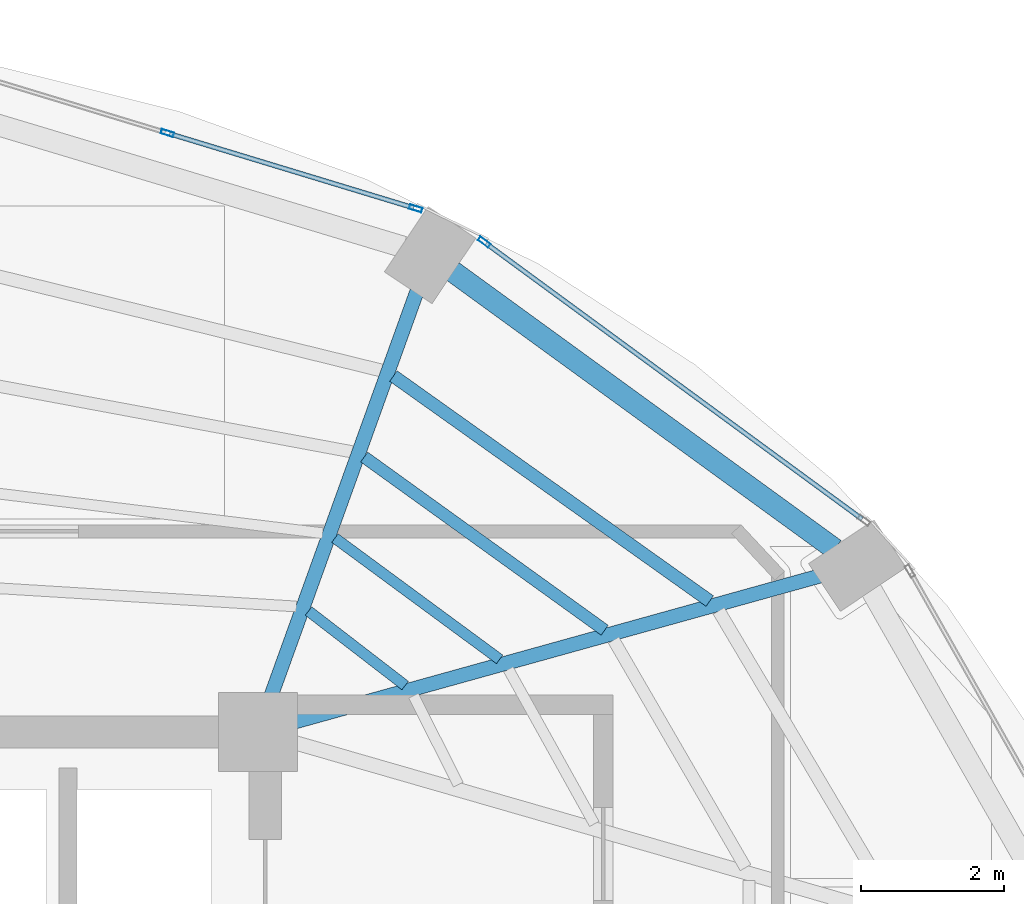
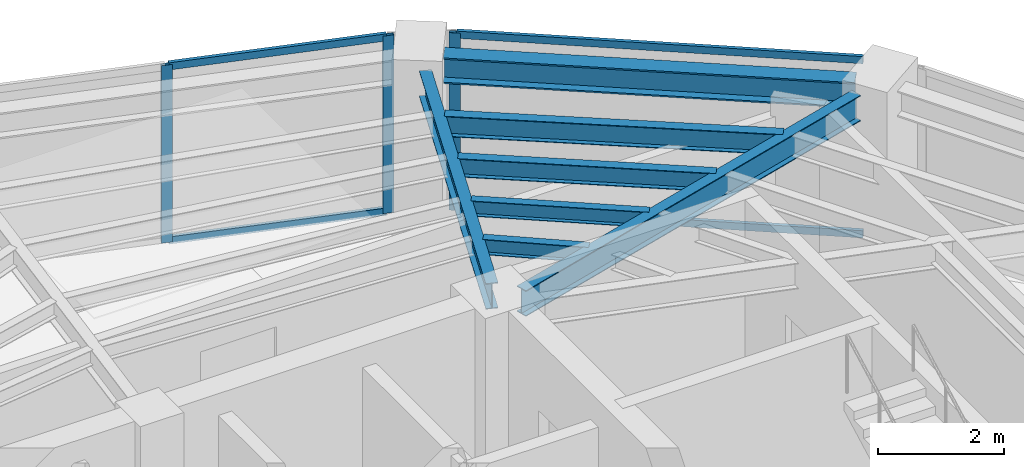
# One storey, part 4 of 12: 7 beams, 7 members, 2 elements without a shape of their own.
"""IFC4 building model written with IfcOpenShell, lengths in metres."""

from ifc_helpers import new_model, si_unit, direction, frame, origin, origin_2d, place, context, subcontext, project, spatial, hollow_rectangle, i_section, extrude, material, layer, layer_set, material_profile, profile_set, type_object, element, aggregate, save


model = new_model("IFC4")

# Units and contexts
model_context = context("Model", 3, precision=1e-05, world=origin(), true_north=direction((0.0, 1.0)))
body_context = subcontext(model_context, "Body", "Model", "MODEL_VIEW")
ifc_project = project(units=[si_unit("LENGTHUNIT", "METRE"), si_unit("AREAUNIT", "SQUARE_METRE"), si_unit("VOLUMEUNIT", "CUBIC_METRE"), si_unit("PLANEANGLEUNIT", "RADIAN"), si_unit("MASSUNIT", "GRAM", prefix="KILO")], contexts=[model_context])

# Site, building, storey
site_placement = place(None, origin())
site = spatial("IfcSite", under=ifc_project, at=site_placement, CompositionType="ELEMENT")
building_placement = place(site_placement, origin())
building = spatial("IfcBuilding", under=site, at=building_placement, Name="Lazwardi Medical Tower", CompositionType="ELEMENT")
storey_placement = place(building_placement, frame((0.0, 0.0, 291.50390625)))
storey = spatial("IfcBuildingStorey", under=building, at=storey_placement, Name="L76", CompositionType="ELEMENT", Elevation=291.50390625)

# Beams
ifc_material_1 = material(Name="Steel S355", Category="steel")
ifc_material_profile_1 = material_profile(ifc_material_1, i_section(OverallWidth=0.300048828125, OverallDepth=0.5, WebThickness=0.014404296875, FlangeThickness=0.028076171875, at=origin_2d()), Name="HEB 500")
ifc_profile_set_1 = profile_set([ifc_material_profile_1], Name="Steel S355")
beam_type_1 = type_object("IfcBeamType", Name="BM-RB-Z4", PredefinedType="BEAM", material=ifc_profile_set_1)
beam_1_placement = place(storey_placement, frame((53.644287109375, 38.15185546875, 3.197998046875), z_axis=(-0.808889916254, 0.587960120571, 0.0), x_axis=(-0.587960120571, -0.808889916254, 0.0)))
element("IfcBeam", 1, at=beam_1_placement, inside=storey, type_object=beam_type_1, Name="Ring beam RB-05 B06 L76", PredefinedType="BEAM", context=body_context, shape_type="SweptSolid", body=[
    extrude(i_section(OverallWidth=0.300048828125, OverallDepth=0.5, WebThickness=0.014404296875, FlangeThickness=0.028076171875, at=origin_2d()), origin(), (0.0, 0.0, 1.0), 6.587158203125),
])
ifc_material_profile_2 = material_profile(ifc_material_1, i_section(OverallWidth=0.199951171875, OverallDepth=0.5, WebThickness=0.01025390625, FlangeThickness=0.01611328125, at=origin_2d()), Name="IPE 500")
ifc_profile_set_2 = profile_set([ifc_material_profile_2], Name="Steel S355")
beam_type_2 = type_object("IfcBeamType", Name="BM-RG-W3", PredefinedType="BEAM", material=ifc_profile_set_2)
beam_2_placement = place(storey_placement, frame((53.444091796875, 37.779296875, 3.197998046875), z_axis=(-0.963504112843, -0.267693527254, 0.0), x_axis=(0.267693527254, -0.963504112843, 0.0)))
element("IfcBeam", 2, at=beam_2_placement, inside=storey, type_object=beam_type_2, Name="Radial girder RG-04 R06 L76", PredefinedType="BEAM", context=body_context, shape_type="SweptSolid", body=[
    extrude(i_section(OverallWidth=0.199951171875, OverallDepth=0.5, WebThickness=0.01025390625, FlangeThickness=0.01611328125, at=origin_2d()), origin(), (0.0, 0.0, 1.0), 7.606201171875),
])
beam_3_placement = place(storey_placement, frame((47.81884765625, 41.750732421875, 3.197998046875), z_axis=(-0.339348661818, -0.940660664492, 0.0), x_axis=(0.940660664492, -0.339348661818, 0.0)))
element("IfcBeam", 3, at=beam_3_placement, inside=storey, type_object=beam_type_2, Name="Radial girder RG-04 R07 L76", PredefinedType="BEAM", context=body_context, shape_type="SweptSolid", body=[
    extrude(i_section(OverallWidth=0.199951171875, OverallDepth=0.5, WebThickness=0.01025390625, FlangeThickness=0.01611328125, at=origin_2d()), origin(), (0.0, 0.0, 1.0), 6.003662109375),
])
ifc_material_profile_3 = material_profile(ifc_material_1, i_section(OverallWidth=0.179931640625, OverallDepth=0.39990234375, WebThickness=0.008544921875, FlangeThickness=0.013427734375, at=origin_2d()), Name="IPE 400")
ifc_profile_set_3 = profile_set([ifc_material_profile_3], Name="Steel S355")
beam_type_3 = type_object("IfcBeamType", Name="BM-SJ-01", PredefinedType="JOIST", material=ifc_profile_set_3)
beam_4_placement = place(storey_placement, frame((51.901123046875, 37.42724609375, 3.248046875), z_axis=(-0.814846949116, 0.579676159176, 0.0), x_axis=(-0.579676159176, -0.814846949116, 0.0)))
element("IfcBeam", 4, at=beam_4_placement, inside=storey, type_object=beam_type_3, Name="Secondary joist SJ-01 R1 B06 L76", PredefinedType="JOIST", context=body_context, shape_type="SweptSolid", body=[
    extrude(i_section(OverallWidth=0.179931640625, OverallDepth=0.39990234375, WebThickness=0.008544921875, FlangeThickness=0.013427734375, at=origin_2d()), origin(), (0.0, 0.0, 1.0), 5.4150390625),
])
ifc_material_profile_4 = material_profile(ifc_material_1, i_section(OverallWidth=0.169921875, OverallDepth=0.360107421875, WebThickness=0.008056640625, FlangeThickness=0.0126953125, at=origin_2d()), Name="IPE 360")
ifc_profile_set_4 = profile_set([ifc_material_profile_4], Name="Steel S355")
beam_type_4 = type_object("IfcBeamType", Name="BM-SJ-02", PredefinedType="JOIST", material=ifc_profile_set_4)
beam_5_placement = place(storey_placement, frame((50.435546875, 37.0205078125, 3.26806640625), z_axis=(-0.811472726235, 0.58439029302, 0.0), x_axis=(-0.58439029302, -0.811472726235, 0.0)))
element("IfcBeam", 5, at=beam_5_placement, inside=storey, type_object=beam_type_4, Name="Secondary joist SJ-02 R2 B06 L76", PredefinedType="JOIST", context=body_context, shape_type="SweptSolid", body=[
    extrude(i_section(OverallWidth=0.169921875, OverallDepth=0.360107421875, WebThickness=0.008056640625, FlangeThickness=0.0126953125, at=origin_2d()), origin(), (0.0, 0.0, 1.0), 4.1337890625),
])
ifc_material_profile_5 = material_profile(ifc_material_1, i_section(OverallWidth=0.14990234375, OverallDepth=0.300048828125, WebThickness=0.007080078125, FlangeThickness=0.0107421875, at=origin_2d()), Name="IPE 300")
ifc_profile_set_5 = profile_set([ifc_material_profile_5], Name="Steel S355")
beam_type_5 = type_object("IfcBeamType", Name="BM-SJ-03", PredefinedType="JOIST", material=ifc_profile_set_5)
beam_6_placement = place(storey_placement, frame((48.970458984375, 36.614013671875, 3.298095703125), z_axis=(-0.805236450776, 0.592953841662, 0.0), x_axis=(-0.592953841662, -0.805236450776, 0.0)))
element("IfcBeam", 6, at=beam_6_placement, inside=storey, type_object=beam_type_5, Name="Secondary joist SJ-03 R3 B06 L76", PredefinedType="JOIST", context=body_context, shape_type="SweptSolid", body=[
    extrude(i_section(OverallWidth=0.14990234375, OverallDepth=0.300048828125, WebThickness=0.007080078125, FlangeThickness=0.0107421875, at=origin_2d()), origin(), (0.0, 0.0, 1.0), 2.853271484375),
])
beam_7_placement = place(storey_placement, frame((47.652587890625, 36.2490234375, 3.298095703125), z_axis=(-0.792010197197, 0.610507860339, 0.0), x_axis=(-0.610507860339, -0.792010197197, 0.0)))
element("IfcBeam", 7, at=beam_7_placement, inside=storey, type_object=beam_type_5, Name="Secondary joist SJ-03 R4 B06 L76", PredefinedType="JOIST", context=body_context, shape_type="SweptSolid", body=[
    extrude(i_section(OverallWidth=0.14990234375, OverallDepth=0.300048828125, WebThickness=0.007080078125, FlangeThickness=0.0107421875, at=origin_2d()), origin(), (0.0, 0.0, 1.0), 1.70166015625),
])

# Curtain wall, member
ifc_material_2 = material(Name="Anodised bronze aluminium and solar control glazing", Category="aluminium")
ifc_layer = layer(ifc_material_2, 0.18994140625)
ifc_layer_set = layer_set([ifc_layer], Name="Anodised bronze aluminium and solar control glazing")
curtain_wall_type = type_object("IfcCurtainWallType", Name="CW-SYS-04", PredefinedType="NOTDEFINED", material=ifc_layer_set)
curtain_wall_1_placement = place(storey_placement, origin())
curtain_wall_1 = element("IfcCurtainWall", 8, at=curtain_wall_1_placement, inside=storey, type_object=curtain_wall_type, Name="L76 Unitised bronze curtain wall CW-04", PredefinedType="NOTDEFINED")
ifc_material_3 = material(Name="Anodised bronze aluminium", Category="aluminium")
ifc_material_profile_6 = material_profile(ifc_material_3, hollow_rectangle(XDim=0.06494140625, YDim=0.179931640625, WallThickness=0.00390625, at=origin_2d()), Name="ALU-MULLION 180x65x4")
ifc_profile_set_6 = profile_set([ifc_material_profile_6], Name="Anodised bronze aluminium")
member_type_1 = type_object("IfcMemberType", Name="CW-MUL-03", PredefinedType="MULLION", material=ifc_profile_set_6)
member_1_placement = place(storey_placement, frame((48.75537109375, 42.434814453125, 0.0), z_axis=(0.0, 0.0, 1.0), x_axis=(-0.591268230971, -0.806474971121, 0.0)))
member_1 = element("IfcMember", 9, at=member_1_placement, type_object=member_type_1, Name="CW-04 mullion 2", PredefinedType="MULLION", context=body_context, shape_type="SweptSolid", body=[
    extrude(hollow_rectangle(XDim=0.06494140625, YDim=0.179931640625, WallThickness=0.00390625, at=origin_2d()), origin(), (0.0, 0.0, 1.0), 3.447998046875),
])

# Curtain wall, members
curtain_wall_2_placement = place(storey_placement, origin())
curtain_wall_2 = element("IfcCurtainWall", 10, at=curtain_wall_2_placement, inside=storey, type_object=curtain_wall_type, Name="L76 Unitised bronze curtain wall CW-04", PredefinedType="NOTDEFINED")
member_2_placement = place(storey_placement, frame((47.7998046875, 42.903564453125, 0.0), z_axis=(0.0, 0.0, 1.0), x_axis=(-0.290581889515, -0.956850126972, 0.0)))
member_2 = element("IfcMember", 11, at=member_2_placement, type_object=member_type_1, Name="CW-04 mullion 1", PredefinedType="MULLION", context=body_context, shape_type="SweptSolid", body=[
    extrude(hollow_rectangle(XDim=0.06494140625, YDim=0.179931640625, WallThickness=0.00390625, at=origin_2d()), origin(), (0.0, 0.0, 1.0), 3.447998046875),
])
member_3_placement = place(storey_placement, frame((44.33642578125, 43.955322265625, 0.0), z_axis=(0.0, 0.0, 1.0), x_axis=(-0.290581889515, -0.956850126972, 0.0)))
member_3 = element("IfcMember", 12, at=member_3_placement, type_object=member_type_1, Name="CW-04 mullion 2", PredefinedType="MULLION", context=body_context, shape_type="SweptSolid", body=[
    extrude(hollow_rectangle(XDim=0.06494140625, YDim=0.179931640625, WallThickness=0.00390625, at=origin_2d()), origin(), (0.0, 0.0, 1.0), 3.447998046875),
])

# Member
ifc_material_profile_7 = material_profile(ifc_material_3, hollow_rectangle(XDim=0.06494140625, YDim=0.139892578125, WallThickness=0.00341796875, at=origin_2d()), Name="ALU-TRANSOM 140x65x3.5")
ifc_profile_set_7 = profile_set([ifc_material_profile_7], Name="Anodised bronze aluminium")
member_type_2 = type_object("IfcMemberType", Name="CW-TRN-03", PredefinedType="USERDEFINED", material=ifc_profile_set_7)
member_4_placement = place(storey_placement, frame((54.02587890625, 38.57080078125, 0.03271484375), z_axis=(-0.806471831148, 0.591272513791, 0.0), x_axis=(-0.591272513791, -0.806471831148, 0.0)))
member_4 = element("IfcMember", 13, at=member_4_placement, type_object=member_type_2, Name="CW-04 transom 1.1", ObjectType="TRANSOM", PredefinedType="USERDEFINED", context=body_context, shape_type="SweptSolid", body=[
    extrude(hollow_rectangle(XDim=0.06494140625, YDim=0.139892578125, WallThickness=0.00341796875, at=origin_2d()), origin(), (0.0, 0.0, 1.0), 6.5029296875),
])

member_5_placement = place(storey_placement, frame((54.02587890625, 38.57080078125, 3.41552734375), z_axis=(-0.806471831148, 0.591272513791, 0.0), x_axis=(-0.591272513791, -0.806471831148, 0.0)))
member_5 = element("IfcMember", 14, at=member_5_placement, type_object=member_type_2, Name="CW-04 transom 1.2", ObjectType="TRANSOM", PredefinedType="USERDEFINED", context=body_context, shape_type="SweptSolid", body=[
    extrude(hollow_rectangle(XDim=0.06494140625, YDim=0.139892578125, WallThickness=0.00341796875, at=origin_2d()), origin(), (0.0, 0.0, 1.0), 6.5029296875),
])

aggregate(curtain_wall_1, [member_1, member_4, member_5])

member_6_placement = place(storey_placement, frame((47.7685546875, 42.9130859375, 0.03271484375), z_axis=(-0.956862505902, 0.290541124109, 0.0), x_axis=(-0.290541124109, -0.956862505902, 0.0)))
member_6 = element("IfcMember", 15, at=member_6_placement, type_object=member_type_2, Name="CW-04 transom 1.1", ObjectType="TRANSOM", PredefinedType="USERDEFINED", context=body_context, shape_type="SweptSolid", body=[
    extrude(hollow_rectangle(XDim=0.06494140625, YDim=0.139892578125, WallThickness=0.00341796875, at=origin_2d()), origin(), (0.0, 0.0, 1.0), 3.554443359375),
])

member_7_placement = place(storey_placement, frame((47.7685546875, 42.9130859375, 3.41552734375), z_axis=(-0.956862505902, 0.290541124109, 0.0), x_axis=(-0.290541124109, -0.956862505902, 0.0)))
member_7 = element("IfcMember", 16, at=member_7_placement, type_object=member_type_2, Name="CW-04 transom 1.2", ObjectType="TRANSOM", PredefinedType="USERDEFINED", context=body_context, shape_type="SweptSolid", body=[
    extrude(hollow_rectangle(XDim=0.06494140625, YDim=0.139892578125, WallThickness=0.00341796875, at=origin_2d()), origin(), (0.0, 0.0, 1.0), 3.554443359375),
])

aggregate(curtain_wall_2, [member_2, member_3, member_6, member_7])

save(model, "model.ifc")
